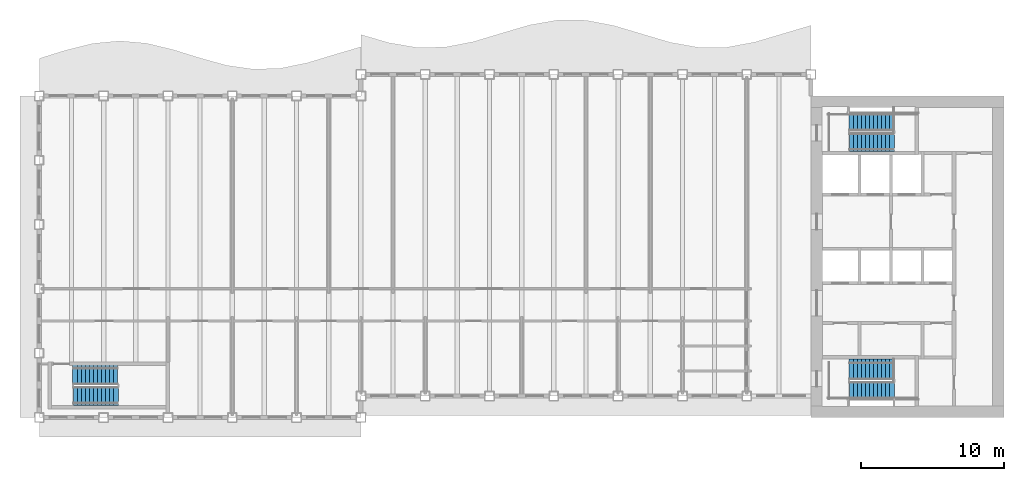
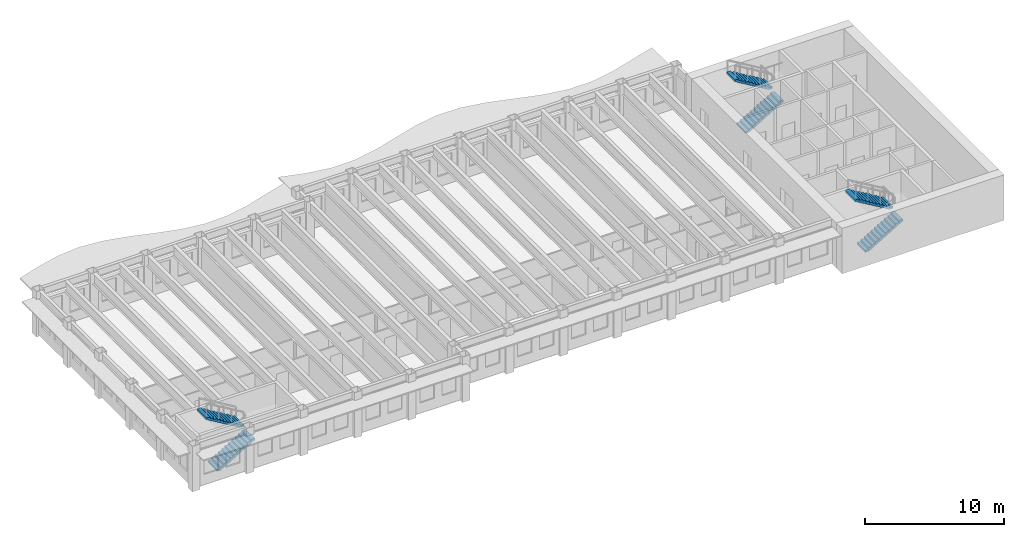
# One storey, part 7 of 12: 6 stair flights, 3 elements without a shape of their own.
"""IFC4 building model written with IfcOpenShell, lengths in metres."""

import ifcopenshell
import ifcopenshell.guid

model = None  # the IFC model being written
_history = None  # IfcOwnerHistory: only IFC2X3 demands one
_inside = {}  # id of a spatial element -> (the spatial element, [elements in it])
_under = {}  # id of a project, library or spatial element -> (it, [spatial elements below it])
_declared = {}  # id of a project -> (the project, [libraries it declares])
_typed = {}  # id of a type object -> (the type object, [elements of that type])
_made_of = {}  # id of a material, layer set ... -> (it, [elements and type objects made of it])


def new_model(schema):
    """Start an empty IFC model of exactly this schema.

    Asked for "IFC4X3", IfcOpenShell would pick the latest addendum, in which some entities
    have other attributes; the version numbers below select the first issue.
    IFC2X3 requires an IfcOwnerHistory on every rooted entity: one is made here for all.
    """
    global model, _history
    if schema == "IFC4X3":
        model = ifcopenshell.file(schema_version=(4, 3, 0, 0))
    else:
        model = ifcopenshell.file(schema=schema)
    _inside.clear()
    _under.clear()
    _declared.clear()
    _typed.clear()
    _made_of.clear()
    _history = None
    if model.schema == "IFC2X3":
        org = make("IfcOrganization", Name="unknown")
        user = make(
            "IfcPersonAndOrganization",
            ThePerson=make("IfcPerson", FamilyName="unknown"),
            TheOrganization=org,
        )
        app = make(
            "IfcApplication",
            ApplicationDeveloper=org,
            Version="unknown",
            ApplicationFullName="unknown",
            ApplicationIdentifier="unknown",
        )
        _history = make(
            "IfcOwnerHistory",
            OwningUser=user,
            OwningApplication=app,
            ChangeAction="ADDED",
            CreationDate=0,
        )
    return model


def make(cls, **values):
    """One entity of the class cls with the attributes given. An attribute that is None is left unset."""
    return model.create_entity(
        cls, **{name: value for name, value in values.items() if value is not None}
    )


def rooted(cls, **values):
    """An entity with a GlobalId (a new one), such as an element, a storey or a relation."""
    return make(cls, GlobalId=ifcopenshell.guid.new(), OwnerHistory=_history, **values)


def si_unit(unit_type, name, prefix=None):
    """IfcSIUnit, for example si_unit("LENGTHUNIT", "METRE", prefix="MILLI")."""
    return make("IfcSIUnit", UnitType=unit_type, Prefix=prefix, Name=name)


def assignment(units):
    """IfcUnitAssignment: the units of a project."""
    return None if units is None else make("IfcUnitAssignment", Units=units)


def point(xyz):
    """IfcCartesianPoint."""
    return None if xyz is None else make("IfcCartesianPoint", Coordinates=xyz)


def direction(xyz):
    """IfcDirection."""
    return None if xyz is None else make("IfcDirection", DirectionRatios=xyz)


def frame(location, z_axis=None, x_axis=None):
    """IfcAxis2Placement3D, a coordinate frame: its origin and axes. An axis left out is left unset."""
    return make(
        "IfcAxis2Placement3D",
        Location=point(location),
        Axis=direction(z_axis),
        RefDirection=direction(x_axis),
    )


def origin():
    """The frame at (0, 0, 0) with its axes left unset."""
    return frame((0.0, 0.0, 0.0))


def place(relative_to, where):
    """IfcLocalPlacement: puts the frame where relative to a parent placement (None: the world)."""
    return make(
        "IfcLocalPlacement", PlacementRelTo=relative_to, RelativePlacement=where
    )


def context(
    kind, dimensions, precision=None, world=None, true_north=None, identifier=None
):
    """IfcGeometricRepresentationContext, for example the 3D "Model" context."""
    return make(
        "IfcGeometricRepresentationContext",
        ContextIdentifier=identifier,
        ContextType=kind,
        CoordinateSpaceDimension=dimensions,
        Precision=precision,
        WorldCoordinateSystem=world,
        TrueNorth=true_north,
    )


def subcontext(parent, identifier, kind, view, scale=None):
    """IfcGeometricRepresentationSubContext, for example "Body" below "Model"."""
    return make(
        "IfcGeometricRepresentationSubContext",
        ContextIdentifier=identifier,
        ContextType=kind,
        ParentContext=parent,
        TargetScale=scale,
        TargetView=view,
    )


def project(units=None, contexts=None):
    """IfcProject with its units and contexts."""
    return rooted(
        "IfcProject",
        Name="project",
        RepresentationContexts=contexts,
        UnitsInContext=assignment(units),
    )


def spatial(cls, under=None, at=None, **own):
    """A site, building, storey or space (cls), placed at a placement, below another one or the project."""
    s = rooted(cls, ObjectPlacement=at, **own)
    if under is not None:
        _under.setdefault(under.id(), (under, []))[1].append(s)
    return s


def polyline(points):
    """IfcPolyline through the points."""
    return make("IfcPolyline", Points=[point(p) for p in points])


def outline(outer, holes=None, kind="AREA"):
    """IfcArbitraryClosedProfileDef: a profile drawn as a closed curve; with holes, ...WithVoids."""
    if holes is None:
        return make("IfcArbitraryClosedProfileDef", ProfileType=kind, OuterCurve=outer)
    return make(
        "IfcArbitraryProfileDefWithVoids",
        ProfileType=kind,
        OuterCurve=outer,
        InnerCurves=holes,
    )


def extrude(swept, where, along, depth):
    """IfcExtrudedAreaSolid: the profile swept, set in the frame where, extruded along a direction by depth."""
    return make(
        "IfcExtrudedAreaSolid",
        SweptArea=swept,
        Position=where,
        ExtrudedDirection=direction(along),
        Depth=depth,
    )


def shape(context_of_items, identifier, shape_type, items):
    """IfcShapeRepresentation: the items that make up one representation, for example the "Body"."""
    return make(
        "IfcShapeRepresentation",
        ContextOfItems=context_of_items,
        RepresentationIdentifier=identifier,
        RepresentationType=shape_type,
        Items=items,
    )


def material(Name=None, Category=None):
    """IfcMaterial."""
    return make("IfcMaterial", Name=Name, Category=Category)


def made_of(thing, what):
    """Note that an element or type object is made of a material, layer set ...; save() writes the relation."""
    if what is not None:
        _made_of.setdefault(what.id(), (what, []))[1].append(thing)
    return thing


def type_object(cls, material=None, **own):
    """A type object (cls), such as IfcWallType, which elements share."""
    return made_of(rooted(cls, **own), material)


def element(
    cls,
    number,
    at=None,
    inside=None,
    cuts=None,
    type_object=None,
    material=None,
    context=None,
    identifier="Body",
    shape_type=None,
    held_by="IfcProductDefinitionShape",
    body=None,
    shapes=None,
    **own,
):
    """One element of the class cls, such as IfcWall. Its Tag is "e" and its number.

    at: its placement. inside: the storey or other place that contains it. cuts: it is an
    opening in that element (IfcRelVoidsElement). A single representation is given by context,
    identifier, shape_type and body (its items); several are given by shapes. held_by: the class
    of the entity that holds the representations. save() writes the other relations.
    """
    e = rooted(cls, Tag="e%d" % number, ObjectPlacement=at, **own)
    if body is not None:
        shapes = [shape(context, identifier, shape_type, body)]
    if shapes is not None:
        e.Representation = make(held_by, Representations=shapes)
    if inside is not None:
        _inside.setdefault(inside.id(), (inside, []))[1].append(e)
    if cuts is not None:
        rooted(
            "IfcRelVoidsElement", RelatingBuildingElement=cuts, RelatedOpeningElement=e
        )
    if type_object is not None:
        _typed.setdefault(type_object.id(), (type_object, []))[1].append(e)
    return made_of(e, material)


def aggregate(whole, parts):
    """IfcRelAggregates: a whole, such as a stair, and the parts it consists of."""
    return rooted("IfcRelAggregates", RelatingObject=whole, RelatedObjects=parts)


def save(model, path):
    """Write the relations noted so far, then the file.

    IfcRelAggregates (storeys below a building ...), IfcRelContainedInSpatialStructure (elements
    in a storey), IfcRelDefinesByType, IfcRelAssociatesMaterial and IfcRelDeclares: one each for
    every whole, place, type object, material and project.
    """
    for whole, parts in _under.values():
        aggregate(whole, parts)
    for where, things in _inside.values():
        rooted(
            "IfcRelContainedInSpatialStructure",
            RelatedElements=things,
            RelatingStructure=where,
        )
    for kind, things in _typed.values():
        rooted("IfcRelDefinesByType", RelatedObjects=things, RelatingType=kind)
    for what, things in _made_of.values():
        rooted("IfcRelAssociatesMaterial", RelatedObjects=things, RelatingMaterial=what)
    for by, libraries in _declared.values():
        rooted("IfcRelDeclares", RelatingContext=by, RelatedDefinitions=libraries)
    model.write(path)


model = new_model("IFC4")

# Units and contexts
model_context = context("Model", 3, precision=1e-05, world=origin(), true_north=direction((0.0, 1.0)))
body_context = subcontext(model_context, "Body", "Model", "MODEL_VIEW")
ifc_project = project(units=[si_unit("LENGTHUNIT", "METRE"), si_unit("AREAUNIT", "SQUARE_METRE"), si_unit("VOLUMEUNIT", "CUBIC_METRE"), si_unit("PLANEANGLEUNIT", "RADIAN"), si_unit("MASSUNIT", "GRAM", prefix="KILO")], contexts=[model_context])

# Site, building, storey
site_placement = place(None, origin())
site = spatial("IfcSite", under=ifc_project, at=site_placement, CompositionType="ELEMENT")
building_placement = place(site_placement, origin())
building = spatial("IfcBuilding", under=site, at=building_placement, Name="Sennacour Bend Tower", CompositionType="ELEMENT")
storey_placement = place(building_placement, frame((0.0, 0.0, 269.0)))
storey = spatial("IfcBuildingStorey", under=building, at=storey_placement, Name="L62", CompositionType="ELEMENT", Elevation=269.0)

# Stair, stair flights
ifc_material = material(Name="Concrete C40/50", Category="concrete")
stair_type = type_object("IfcStairType", Name="ST-DOGLEG", PredefinedType="HALF_TURN_STAIR", material=ifc_material)
stair_1_placement = place(storey_placement, origin())
stair_1 = element("IfcStair", 1, at=stair_1_placement, inside=storey, type_object=stair_type, Name="L62 Exit stair A1", PredefinedType="HALF_TURN_STAIR")
stair_flight_type = type_object("IfcStairFlightType", Name="SFL-RC", PredefinedType="STRAIGHT", material=ifc_material)
stair_flight_1_placement = place(storey_placement, frame((56.699951171875, 1.89990234375, 0.0), z_axis=(0.0, 0.0, 1.0), x_axis=(1.0, 0.0, 0.0)))
stair_flight_1 = element("IfcStairFlight", 2, at=stair_flight_1_placement, type_object=stair_flight_type, Name="SA1 flight 1", NumberOfRisers=12, NumberOfTreads=11, PredefinedType="STRAIGHT", RiserHeight=0.166666667, TreadLength=0.28, context=body_context, shape_type="SweptSolid", body=[
    extrude(outline(polyline([(0.0, 0.0), (0.0, 0.166748046875), (0.280029296875, 0.166748046875), (0.280029296875, 0.333251953125), (0.56005859375, 0.333251953125), (0.56005859375, 0.5), (0.840087890625, 0.5), (0.840087890625, 0.666748046875), (1.1201171875, 0.666748046875), (1.1201171875, 0.833251953125), (1.39990234375, 0.833251953125), (1.39990234375, 1.0), (1.679931640625, 1.0), (1.679931640625, 1.166748046875), (1.9599609375, 1.166748046875), (1.9599609375, 1.333251953125), (2.239990234375, 1.333251953125), (2.239990234375, 1.5), (2.52001953125, 1.5), (2.52001953125, 1.666748046875), (2.800048828125, 1.666748046875), (2.800048828125, 1.833251953125), (3.080078125, 1.833251953125), (3.139892578125, 1.833251953125), (3.139892578125, 1.658935546875), (3.080078125, 1.658935546875), (0.29296875, 0.0), (0.0, 0.0)])), frame((0.0, 0.60009765625, 0.0), z_axis=(0.0, -1.0, 0.0), x_axis=(1.0, 0.0, 0.0)), (0.0, 0.0, 1.0), 1.199951171875),
])
stair_flight_2_placement = place(storey_placement, frame((59.780029296875, 3.37744140625, 2.0), z_axis=(0.0, 0.0, 1.0), x_axis=(-1.0, 0.0, 0.0)))
stair_flight_2 = element("IfcStairFlight", 3, at=stair_flight_2_placement, type_object=stair_flight_type, Name="SA1 flight 2", NumberOfRisers=12, NumberOfTreads=11, PredefinedType="STRAIGHT", RiserHeight=0.166666667, TreadLength=0.28, context=body_context, shape_type="SweptSolid", body=[
    extrude(outline(polyline([(0.0, 0.0), (0.0, 0.166748046875), (0.280029296875, 0.166748046875), (0.280029296875, 0.333251953125), (0.56005859375, 0.333251953125), (0.56005859375, 0.5), (0.840087890625, 0.5), (0.840087890625, 0.666748046875), (1.1201171875, 0.666748046875), (1.1201171875, 0.833251953125), (1.39990234375, 0.833251953125), (1.39990234375, 1.0), (1.679931640625, 1.0), (1.679931640625, 1.166748046875), (1.9599609375, 1.166748046875), (1.9599609375, 1.333251953125), (2.239990234375, 1.333251953125), (2.239990234375, 1.5), (2.52001953125, 1.5), (2.52001953125, 1.666748046875), (2.800048828125, 1.666748046875), (2.800048828125, 1.833251953125), (3.080078125, 1.833251953125), (3.139892578125, 1.833251953125), (3.139892578125, 1.658935546875), (3.080078125, 1.658935546875), (0.29296875, 0.0), (0.0, 0.0)])), frame((0.0, 0.7275390625, 0.0), z_axis=(0.0, -1.0, 0.0), x_axis=(1.0, 0.0, 0.0)), (0.0, 0.0, 1.0), 1.455078125),
])
aggregate(stair_1, [stair_flight_1, stair_flight_2])

stair_2_placement = place(storey_placement, origin())
stair_2 = element("IfcStair", 4, at=stair_2_placement, inside=storey, type_object=stair_type, Name="L62 Exit stair A2", PredefinedType="HALF_TURN_STAIR")
stair_flight_3_placement = place(storey_placement, frame((56.699951171875, 19.24755859375, 0.0), z_axis=(0.0, 0.0, 1.0), x_axis=(1.0, 0.0, 0.0)))
stair_flight_3 = element("IfcStairFlight", 5, at=stair_flight_3_placement, type_object=stair_flight_type, Name="SA2 flight 1", NumberOfRisers=12, NumberOfTreads=11, PredefinedType="STRAIGHT", RiserHeight=0.166666667, TreadLength=0.28, context=body_context, shape_type="SweptSolid", body=[
    extrude(outline(polyline([(0.0, 0.0), (0.0, 0.166748046875), (0.280029296875, 0.166748046875), (0.280029296875, 0.333251953125), (0.56005859375, 0.333251953125), (0.56005859375, 0.5), (0.840087890625, 0.5), (0.840087890625, 0.666748046875), (1.1201171875, 0.666748046875), (1.1201171875, 0.833251953125), (1.39990234375, 0.833251953125), (1.39990234375, 1.0), (1.679931640625, 1.0), (1.679931640625, 1.166748046875), (1.9599609375, 1.166748046875), (1.9599609375, 1.333251953125), (2.239990234375, 1.333251953125), (2.239990234375, 1.5), (2.52001953125, 1.5), (2.52001953125, 1.666748046875), (2.800048828125, 1.666748046875), (2.800048828125, 1.833251953125), (3.080078125, 1.833251953125), (3.139892578125, 1.833251953125), (3.139892578125, 1.658935546875), (3.080078125, 1.658935546875), (0.29296875, 0.0), (0.0, 0.0)])), frame((0.0, 0.65234375, 0.0), z_axis=(0.0, -1.0, 0.0), x_axis=(1.0, 0.0, 0.0)), (0.0, 0.0, 1.0), 1.304931640625),
])
stair_flight_4_placement = place(storey_placement, frame((59.780029296875, 20.64990234375, 2.0), z_axis=(0.0, 0.0, 1.0), x_axis=(-1.0, 0.0, 0.0)))
stair_flight_4 = element("IfcStairFlight", 6, at=stair_flight_4_placement, type_object=stair_flight_type, Name="SA2 flight 2", NumberOfRisers=12, NumberOfTreads=11, PredefinedType="STRAIGHT", RiserHeight=0.166666667, TreadLength=0.28, context=body_context, shape_type="SweptSolid", body=[
    extrude(outline(polyline([(0.0, 0.0), (0.0, 0.166748046875), (0.280029296875, 0.166748046875), (0.280029296875, 0.333251953125), (0.56005859375, 0.333251953125), (0.56005859375, 0.5), (0.840087890625, 0.5), (0.840087890625, 0.666748046875), (1.1201171875, 0.666748046875), (1.1201171875, 0.833251953125), (1.39990234375, 0.833251953125), (1.39990234375, 1.0), (1.679931640625, 1.0), (1.679931640625, 1.166748046875), (1.9599609375, 1.166748046875), (1.9599609375, 1.333251953125), (2.239990234375, 1.333251953125), (2.239990234375, 1.5), (2.52001953125, 1.5), (2.52001953125, 1.666748046875), (2.800048828125, 1.666748046875), (2.800048828125, 1.833251953125), (3.080078125, 1.833251953125), (3.139892578125, 1.833251953125), (3.139892578125, 1.658935546875), (3.080078125, 1.658935546875), (0.29296875, 0.0), (0.0, 0.0)])), frame((0.0, 0.60009765625, 0.0), z_axis=(0.0, -1.0, 0.0), x_axis=(1.0, 0.0, 0.0)), (0.0, 0.0, 1.0), 1.199951171875),
])
aggregate(stair_2, [stair_flight_3, stair_flight_4])

stair_3_placement = place(storey_placement, origin())
stair_3 = element("IfcStair", 7, at=stair_3_placement, inside=storey, type_object=stair_type, Name="L62 Exit stair K1", PredefinedType="HALF_TURN_STAIR")
stair_flight_5_placement = place(storey_placement, frame((2.39990234375, 1.485107421875, 0.0), z_axis=(0.0, 0.0, 1.0), x_axis=(1.0, 0.0, 0.0)))
stair_flight_5 = element("IfcStairFlight", 8, at=stair_flight_5_placement, type_object=stair_flight_type, Name="SK1 flight 1", NumberOfRisers=12, NumberOfTreads=11, PredefinedType="STRAIGHT", RiserHeight=0.166666667, TreadLength=0.28, context=body_context, shape_type="SweptSolid", body=[
    extrude(outline(polyline([(0.0, 0.0), (0.0, 0.166748046875), (0.280029296875, 0.166748046875), (0.280029296875, 0.333251953125), (0.56005859375, 0.333251953125), (0.56005859375, 0.5), (0.840087890625, 0.5), (0.840087890625, 0.666748046875), (1.1201171875, 0.666748046875), (1.1201171875, 0.833251953125), (1.39990234375, 0.833251953125), (1.39990234375, 1.0), (1.679931640625, 1.0), (1.679931640625, 1.166748046875), (1.9599609375, 1.166748046875), (1.9599609375, 1.333251953125), (2.239990234375, 1.333251953125), (2.239990234375, 1.5), (2.52001953125, 1.5), (2.52001953125, 1.666748046875), (2.800048828125, 1.666748046875), (2.800048828125, 1.833251953125), (3.080078125, 1.833251953125), (3.139892578125, 1.833251953125), (3.139892578125, 1.658935546875), (3.080078125, 1.658935546875), (0.29296875, 0.0), (0.0, 0.0)])), frame((0.0, 0.6650390625, 0.0), z_axis=(0.0, -1.0, 0.0), x_axis=(1.0, 0.0, 0.0)), (0.0, 0.0, 1.0), 1.330078125),
])
stair_flight_6_placement = place(storey_placement, frame((5.47998046875, 2.9775390625, 2.0), z_axis=(0.0, 0.0, 1.0), x_axis=(-1.0, 0.0, 0.0)))
stair_flight_6 = element("IfcStairFlight", 9, at=stair_flight_6_placement, type_object=stair_flight_type, Name="SK1 flight 2", NumberOfRisers=12, NumberOfTreads=11, PredefinedType="STRAIGHT", RiserHeight=0.166666667, TreadLength=0.28, context=body_context, shape_type="SweptSolid", body=[
    extrude(outline(polyline([(0.0, 0.0), (0.0, 0.166748046875), (0.280029296875, 0.166748046875), (0.280029296875, 0.333251953125), (0.56005859375, 0.333251953125), (0.56005859375, 0.5), (0.840087890625, 0.5), (0.840087890625, 0.666748046875), (1.1201171875, 0.666748046875), (1.1201171875, 0.833251953125), (1.39990234375, 0.833251953125), (1.39990234375, 1.0), (1.679931640625, 1.0), (1.679931640625, 1.166748046875), (1.9599609375, 1.166748046875), (1.9599609375, 1.333251953125), (2.239990234375, 1.333251953125), (2.239990234375, 1.5), (2.52001953125, 1.5), (2.52001953125, 1.666748046875), (2.800048828125, 1.666748046875), (2.800048828125, 1.833251953125), (3.080078125, 1.833251953125), (3.139892578125, 1.833251953125), (3.139892578125, 1.658935546875), (3.080078125, 1.658935546875), (0.29296875, 0.0), (0.0, 0.0)])), frame((0.0, 0.677490234375, 0.0), z_axis=(0.0, -1.0, 0.0), x_axis=(1.0, 0.0, 0.0)), (0.0, 0.0, 1.0), 1.35498046875),
])
aggregate(stair_3, [stair_flight_5, stair_flight_6])

save(model, "model.ifc")
